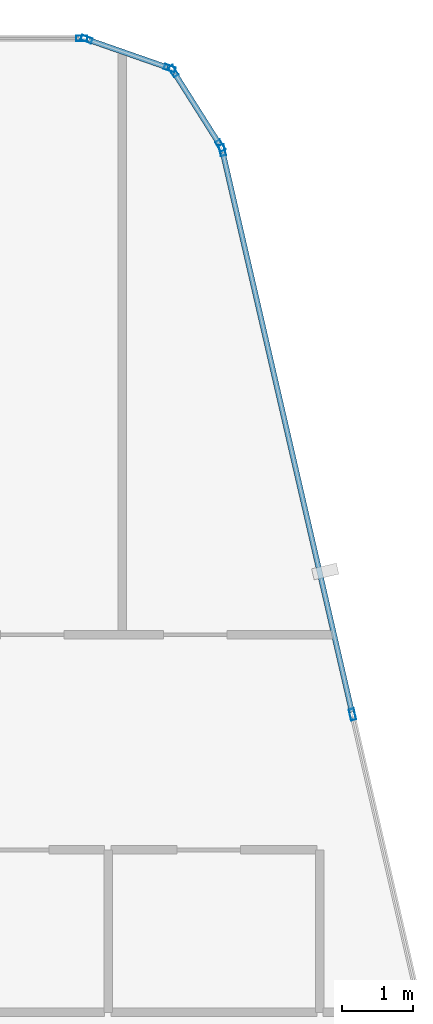
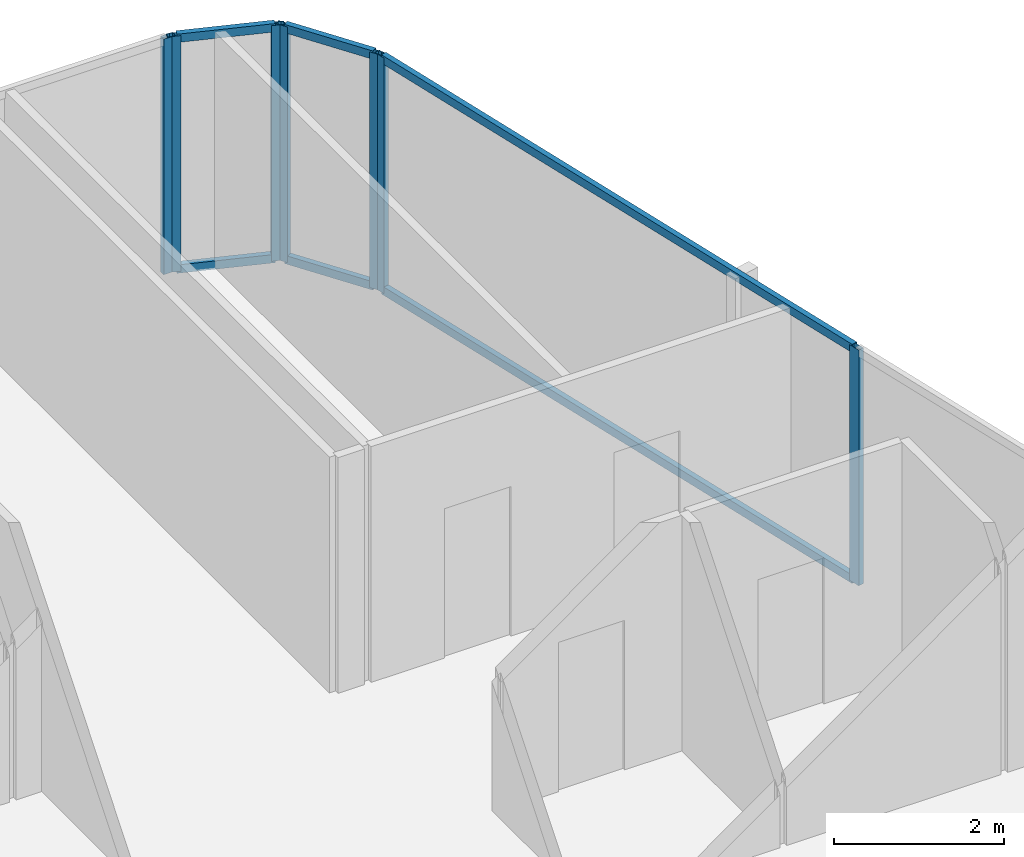
# One storey, part 19 of 27: 13 members, 4 elements without a shape of their own.
"""IFC4 building model written with IfcOpenShell, lengths in metres."""

import ifcopenshell
import ifcopenshell.guid

model = None  # the IFC model being written
_history = None  # IfcOwnerHistory: only IFC2X3 demands one
_inside = {}  # id of a spatial element -> (the spatial element, [elements in it])
_under = {}  # id of a project, library or spatial element -> (it, [spatial elements below it])
_declared = {}  # id of a project -> (the project, [libraries it declares])
_typed = {}  # id of a type object -> (the type object, [elements of that type])
_made_of = {}  # id of a material, layer set ... -> (it, [elements and type objects made of it])


def new_model(schema):
    """Start an empty IFC model of exactly this schema.

    Asked for "IFC4X3", IfcOpenShell would pick the latest addendum, in which some entities
    have other attributes; the version numbers below select the first issue.
    IFC2X3 requires an IfcOwnerHistory on every rooted entity: one is made here for all.
    """
    global model, _history
    if schema == "IFC4X3":
        model = ifcopenshell.file(schema_version=(4, 3, 0, 0))
    else:
        model = ifcopenshell.file(schema=schema)
    _inside.clear()
    _under.clear()
    _declared.clear()
    _typed.clear()
    _made_of.clear()
    _history = None
    if model.schema == "IFC2X3":
        org = make("IfcOrganization", Name="unknown")
        user = make(
            "IfcPersonAndOrganization",
            ThePerson=make("IfcPerson", FamilyName="unknown"),
            TheOrganization=org,
        )
        app = make(
            "IfcApplication",
            ApplicationDeveloper=org,
            Version="unknown",
            ApplicationFullName="unknown",
            ApplicationIdentifier="unknown",
        )
        _history = make(
            "IfcOwnerHistory",
            OwningUser=user,
            OwningApplication=app,
            ChangeAction="ADDED",
            CreationDate=0,
        )
    return model


def make(cls, **values):
    """One entity of the class cls with the attributes given. An attribute that is None is left unset."""
    return model.create_entity(
        cls, **{name: value for name, value in values.items() if value is not None}
    )


def rooted(cls, **values):
    """An entity with a GlobalId (a new one), such as an element, a storey or a relation."""
    return make(cls, GlobalId=ifcopenshell.guid.new(), OwnerHistory=_history, **values)


def si_unit(unit_type, name, prefix=None):
    """IfcSIUnit, for example si_unit("LENGTHUNIT", "METRE", prefix="MILLI")."""
    return make("IfcSIUnit", UnitType=unit_type, Prefix=prefix, Name=name)


def assignment(units):
    """IfcUnitAssignment: the units of a project."""
    return None if units is None else make("IfcUnitAssignment", Units=units)


def point(xyz):
    """IfcCartesianPoint."""
    return None if xyz is None else make("IfcCartesianPoint", Coordinates=xyz)


def direction(xyz):
    """IfcDirection."""
    return None if xyz is None else make("IfcDirection", DirectionRatios=xyz)


def frame(location, z_axis=None, x_axis=None):
    """IfcAxis2Placement3D, a coordinate frame: its origin and axes. An axis left out is left unset."""
    return make(
        "IfcAxis2Placement3D",
        Location=point(location),
        Axis=direction(z_axis),
        RefDirection=direction(x_axis),
    )


def frame_2d(location, x_axis=None):
    """IfcAxis2Placement2D, a coordinate frame in the plane: its origin and x axis."""
    return make(
        "IfcAxis2Placement2D", Location=point(location), RefDirection=direction(x_axis)
    )


def origin():
    """The frame at (0, 0, 0) with its axes left unset."""
    return frame((0.0, 0.0, 0.0))


def origin_2d():
    """The frame at (0, 0) in the plane with its x axis left unset."""
    return frame_2d((0.0, 0.0))


def place(relative_to, where):
    """IfcLocalPlacement: puts the frame where relative to a parent placement (None: the world)."""
    return make(
        "IfcLocalPlacement", PlacementRelTo=relative_to, RelativePlacement=where
    )


def context(
    kind, dimensions, precision=None, world=None, true_north=None, identifier=None
):
    """IfcGeometricRepresentationContext, for example the 3D "Model" context."""
    return make(
        "IfcGeometricRepresentationContext",
        ContextIdentifier=identifier,
        ContextType=kind,
        CoordinateSpaceDimension=dimensions,
        Precision=precision,
        WorldCoordinateSystem=world,
        TrueNorth=true_north,
    )


def subcontext(parent, identifier, kind, view, scale=None):
    """IfcGeometricRepresentationSubContext, for example "Body" below "Model"."""
    return make(
        "IfcGeometricRepresentationSubContext",
        ContextIdentifier=identifier,
        ContextType=kind,
        ParentContext=parent,
        TargetScale=scale,
        TargetView=view,
    )


def project(units=None, contexts=None):
    """IfcProject with its units and contexts."""
    return rooted(
        "IfcProject",
        Name="project",
        RepresentationContexts=contexts,
        UnitsInContext=assignment(units),
    )


def spatial(cls, under=None, at=None, **own):
    """A site, building, storey or space (cls), placed at a placement, below another one or the project."""
    s = rooted(cls, ObjectPlacement=at, **own)
    if under is not None:
        _under.setdefault(under.id(), (under, []))[1].append(s)
    return s


def profile(cls, at=None, kind="AREA", **sizes):
    """A parametric profile (cls). Its sizes go by their IFC names, for example OverallWidth=200.0."""
    return make(cls, ProfileType=kind, Position=at, **sizes)


def hollow_rectangle(**sizes):
    """IfcRectangleHollowProfileDef."""
    return profile("IfcRectangleHollowProfileDef", **sizes)


def extrude(swept, where, along, depth):
    """IfcExtrudedAreaSolid: the profile swept, set in the frame where, extruded along a direction by depth."""
    return make(
        "IfcExtrudedAreaSolid",
        SweptArea=swept,
        Position=where,
        ExtrudedDirection=direction(along),
        Depth=depth,
    )


def shape(context_of_items, identifier, shape_type, items):
    """IfcShapeRepresentation: the items that make up one representation, for example the "Body"."""
    return make(
        "IfcShapeRepresentation",
        ContextOfItems=context_of_items,
        RepresentationIdentifier=identifier,
        RepresentationType=shape_type,
        Items=items,
    )


def material(Name=None, Category=None):
    """IfcMaterial."""
    return make("IfcMaterial", Name=Name, Category=Category)


def layer(
    of_material, thickness, ventilated=None, Name=None, Category=None, Priority=None
):
    """IfcMaterialLayer: one layer of a wall or slab, of a material (None: an air gap)."""
    return make(
        "IfcMaterialLayer",
        Material=of_material,
        LayerThickness=thickness,
        IsVentilated=ventilated,
        Name=Name,
        Category=Category,
        Priority=Priority,
    )


def layer_set(layers, Name=None):
    """IfcMaterialLayerSet."""
    return make("IfcMaterialLayerSet", MaterialLayers=layers, LayerSetName=Name)


def material_profile(
    of_material, cross_section, Name=None, Category=None, Priority=None
):
    """IfcMaterialProfile: a cross section and its material."""
    return make(
        "IfcMaterialProfile",
        Name=Name,
        Material=of_material,
        Profile=cross_section,
        Priority=Priority,
        Category=Category,
    )


def profile_set(profiles, Name=None, composite=None):
    """IfcMaterialProfileSet."""
    return make(
        "IfcMaterialProfileSet",
        Name=Name,
        MaterialProfiles=profiles,
        CompositeProfile=composite,
    )


def made_of(thing, what):
    """Note that an element or type object is made of a material, layer set ...; save() writes the relation."""
    if what is not None:
        _made_of.setdefault(what.id(), (what, []))[1].append(thing)
    return thing


def type_object(cls, material=None, **own):
    """A type object (cls), such as IfcWallType, which elements share."""
    return made_of(rooted(cls, **own), material)


def element(
    cls,
    number,
    at=None,
    inside=None,
    cuts=None,
    type_object=None,
    material=None,
    context=None,
    identifier="Body",
    shape_type=None,
    held_by="IfcProductDefinitionShape",
    body=None,
    shapes=None,
    **own,
):
    """One element of the class cls, such as IfcWall. Its Tag is "e" and its number.

    at: its placement. inside: the storey or other place that contains it. cuts: it is an
    opening in that element (IfcRelVoidsElement). A single representation is given by context,
    identifier, shape_type and body (its items); several are given by shapes. held_by: the class
    of the entity that holds the representations. save() writes the other relations.
    """
    e = rooted(cls, Tag="e%d" % number, ObjectPlacement=at, **own)
    if body is not None:
        shapes = [shape(context, identifier, shape_type, body)]
    if shapes is not None:
        e.Representation = make(held_by, Representations=shapes)
    if inside is not None:
        _inside.setdefault(inside.id(), (inside, []))[1].append(e)
    if cuts is not None:
        rooted(
            "IfcRelVoidsElement", RelatingBuildingElement=cuts, RelatedOpeningElement=e
        )
    if type_object is not None:
        _typed.setdefault(type_object.id(), (type_object, []))[1].append(e)
    return made_of(e, material)


def aggregate(whole, parts):
    """IfcRelAggregates: a whole, such as a stair, and the parts it consists of."""
    return rooted("IfcRelAggregates", RelatingObject=whole, RelatedObjects=parts)


def save(model, path):
    """Write the relations noted so far, then the file.

    IfcRelAggregates (storeys below a building ...), IfcRelContainedInSpatialStructure (elements
    in a storey), IfcRelDefinesByType, IfcRelAssociatesMaterial and IfcRelDeclares: one each for
    every whole, place, type object, material and project.
    """
    for whole, parts in _under.values():
        aggregate(whole, parts)
    for where, things in _inside.values():
        rooted(
            "IfcRelContainedInSpatialStructure",
            RelatedElements=things,
            RelatingStructure=where,
        )
    for kind, things in _typed.values():
        rooted("IfcRelDefinesByType", RelatedObjects=things, RelatingType=kind)
    for what, things in _made_of.values():
        rooted("IfcRelAssociatesMaterial", RelatedObjects=things, RelatingMaterial=what)
    for by, libraries in _declared.values():
        rooted("IfcRelDeclares", RelatingContext=by, RelatedDefinitions=libraries)
    model.write(path)


model = new_model("IFC4")

# Units and contexts
model_context = context("Model", 3, precision=1e-05, world=origin(), true_north=direction((0.0, 1.0)))
body_context = subcontext(model_context, "Body", "Model", "MODEL_VIEW")
ifc_project = project(units=[si_unit("LENGTHUNIT", "METRE"), si_unit("AREAUNIT", "SQUARE_METRE"), si_unit("VOLUMEUNIT", "CUBIC_METRE"), si_unit("PLANEANGLEUNIT", "RADIAN"), si_unit("MASSUNIT", "GRAM", prefix="KILO")], contexts=[model_context])

# Site, building, storey
site_placement = place(None, origin())
site = spatial("IfcSite", under=ifc_project, at=site_placement, CompositionType="ELEMENT")
building_placement = place(site_placement, origin())
building = spatial("IfcBuilding", under=site, at=building_placement, Name="Keshet Zoharim Tower", CompositionType="ELEMENT")
storey_placement = place(building_placement, frame((0.0, 0.0, 288.0)))
storey = spatial("IfcBuildingStorey", under=building, at=storey_placement, Name="L72", CompositionType="ELEMENT", Elevation=288.0)

# Curtain wall, member
ifc_material = material(Name="Aluminium 6063-T6", Category="aluminium")
ifc_layer = layer(ifc_material, 0.260009765625)
ifc_layer_set = layer_set([ifc_layer], Name="Aluminium 6063-T6")
curtain_wall_type = type_object("IfcCurtainWallType", Name="CW-SYS-06", PredefinedType="NOTDEFINED", material=ifc_layer_set)
curtain_wall_1_placement = place(storey_placement, origin())
curtain_wall_1 = element("IfcCurtainWall", 1, at=curtain_wall_1_placement, inside=storey, type_object=curtain_wall_type, Name="L72 Unitised Curtain Wall 06 Part 5", PredefinedType="NOTDEFINED")
ifc_material_profile_1 = material_profile(ifc_material, hollow_rectangle(XDim=0.074951171875, YDim=0.159912109375, WallThickness=0.00390625, at=origin_2d()), Name="MUL-75x160")
ifc_profile_set_1 = profile_set([ifc_material_profile_1], Name="Aluminium 6063-T6")
member_type_1 = type_object("IfcMemberType", Name="CWM-M15", PredefinedType="MULLION", material=ifc_profile_set_1)
member_1_placement = place(storey_placement, frame((37.3740234375, 53.89990234375, 0.0), z_axis=(0.0, 0.0, 1.0), x_axis=(0.0, 1.0, 0.0)))
member_1 = element("IfcMember", 2, at=member_1_placement, type_object=member_type_1, Name="CW-06 mullion 2", PredefinedType="MULLION", context=body_context, shape_type="SweptSolid", body=[
    extrude(hollow_rectangle(XDim=0.074951171875, YDim=0.159912109375, WallThickness=0.00390625, at=origin_2d()), origin(), (0.0, 0.0, 1.0), 3.389892578125),
])
aggregate(curtain_wall_1, [member_1])

# Curtain wall, members
curtain_wall_2_placement = place(storey_placement, origin())
curtain_wall_2 = element("IfcCurtainWall", 3, at=curtain_wall_2_placement, inside=storey, type_object=curtain_wall_type, Name="L72 Unitised Curtain Wall 07", PredefinedType="NOTDEFINED")
member_2_placement = place(storey_placement, frame((37.442138671875, 53.888427734375, 0.0), z_axis=(0.0, 0.0, 1.0), x_axis=(0.329843743636, 0.944035542119, 0.0)))
member_2 = element("IfcMember", 4, at=member_2_placement, type_object=member_type_1, Name="CW-06 mullion 1", PredefinedType="MULLION", context=body_context, shape_type="SweptSolid", body=[
    extrude(hollow_rectangle(XDim=0.074951171875, YDim=0.159912109375, WallThickness=0.00390625, at=origin_2d()), origin(), (0.0, 0.0, 1.0), 3.389892578125),
])
member_3_placement = place(storey_placement, frame((38.620849609375, 53.4765625, 0.0), z_axis=(0.0, 0.0, 1.0), x_axis=(0.329843743636, 0.944035542119, 0.0)))
member_3 = element("IfcMember", 5, at=member_3_placement, type_object=member_type_1, Name="CW-06 mullion 2", PredefinedType="MULLION", context=body_context, shape_type="SweptSolid", body=[
    extrude(hollow_rectangle(XDim=0.074951171875, YDim=0.159912109375, WallThickness=0.00390625, at=origin_2d()), origin(), (0.0, 0.0, 1.0), 3.389892578125),
])

curtain_wall_3_placement = place(storey_placement, origin())
curtain_wall_3 = element("IfcCurtainWall", 6, at=curtain_wall_3_placement, inside=storey, type_object=curtain_wall_type, Name="L72 Unitised Curtain Wall 08", PredefinedType="NOTDEFINED")
member_4_placement = place(storey_placement, frame((38.672607421875, 53.435302734375, 0.0), z_axis=(0.0, 0.0, 1.0), x_axis=(0.845560976183, 0.533878858502, 0.0)))
member_4 = element("IfcMember", 7, at=member_4_placement, type_object=member_type_1, Name="CW-06 mullion 1", PredefinedType="MULLION", context=body_context, shape_type="SweptSolid", body=[
    extrude(hollow_rectangle(XDim=0.074951171875, YDim=0.159912109375, WallThickness=0.00390625, at=origin_2d()), origin(), (0.0, 0.0, 1.0), 3.389892578125),
])
member_5_placement = place(storey_placement, frame((39.33935546875, 52.379638671875, 0.0), z_axis=(0.0, 0.0, 1.0), x_axis=(0.845560976183, 0.533878858502, 0.0)))
member_5 = element("IfcMember", 8, at=member_5_placement, type_object=member_type_1, Name="CW-06 mullion 2", PredefinedType="MULLION", context=body_context, shape_type="SweptSolid", body=[
    extrude(hollow_rectangle(XDim=0.074951171875, YDim=0.159912109375, WallThickness=0.00390625, at=origin_2d()), origin(), (0.0, 0.0, 1.0), 3.389892578125),
])

curtain_wall_4_placement = place(storey_placement, origin())
curtain_wall_4 = element("IfcCurtainWall", 9, at=curtain_wall_4_placement, inside=storey, type_object=curtain_wall_type, Name="L72 Unitised Curtain Wall 09", PredefinedType="NOTDEFINED")
member_6_placement = place(storey_placement, frame((39.365966796875, 52.31591796875, 0.0), z_axis=(0.0, 0.0, 1.0), x_axis=(0.974398012932, 0.224829963294, 0.0)))
member_6 = element("IfcMember", 10, at=member_6_placement, type_object=member_type_1, Name="CW-06 mullion 1", PredefinedType="MULLION", context=body_context, shape_type="SweptSolid", body=[
    extrude(hollow_rectangle(XDim=0.074951171875, YDim=0.159912109375, WallThickness=0.00390625, at=origin_2d()), origin(), (0.0, 0.0, 1.0), 3.389892578125),
])
member_7_placement = place(storey_placement, frame((41.210693359375, 44.320556640625, 0.0), z_axis=(0.0, 0.0, 1.0), x_axis=(0.974398012932, 0.224829963294, 0.0)))
member_7 = element("IfcMember", 11, at=member_7_placement, type_object=member_type_1, Name="CW-06 mullion 2", PredefinedType="MULLION", context=body_context, shape_type="SweptSolid", body=[
    extrude(hollow_rectangle(XDim=0.074951171875, YDim=0.159912109375, WallThickness=0.00390625, at=origin_2d()), origin(), (0.0, 0.0, 1.0), 3.389892578125),
])

# Member
ifc_material_profile_2 = material_profile(ifc_material, hollow_rectangle(XDim=0.074951171875, YDim=0.1201171875, WallThickness=0.00390625, at=origin_2d()), Name="TRN-75x120")
ifc_profile_set_2 = profile_set([ifc_material_profile_2], Name="Aluminium 6063-T6")
member_type_2 = type_object("IfcMemberType", Name="CWT-T12", PredefinedType="USERDEFINED", material=ifc_profile_set_2)
member_8_placement = place(storey_placement, frame((37.47509765625, 53.876953125, 0.034912109375), z_axis=(0.944006789648, -0.329926023675, 0.0), x_axis=(0.329926023675, 0.944006789648, 0.0)))
member_8 = element("IfcMember", 12, at=member_8_placement, type_object=member_type_2, Name="CW-06 transom 1.1", ObjectType="TRANSOM", PredefinedType="USERDEFINED", context=body_context, shape_type="SweptSolid", body=[
    extrude(hollow_rectangle(XDim=0.074951171875, YDim=0.1201171875, WallThickness=0.00390625, at=origin_2d()), origin(), (0.0, 0.0, 1.0), 1.1787109375),
])

member_9_placement = place(storey_placement, frame((37.47509765625, 53.876953125, 3.35498046875), z_axis=(0.944006789648, -0.329926023675, 0.0), x_axis=(0.329926023675, 0.944006789648, 0.0)))
member_9 = element("IfcMember", 13, at=member_9_placement, type_object=member_type_2, Name="CW-06 transom 1.2", ObjectType="TRANSOM", PredefinedType="USERDEFINED", context=body_context, shape_type="SweptSolid", body=[
    extrude(hollow_rectangle(XDim=0.074951171875, YDim=0.1201171875, WallThickness=0.00390625, at=origin_2d()), origin(), (0.0, 0.0, 1.0), 1.1787109375),
])

aggregate(curtain_wall_2, [member_2, member_3, member_8, member_9])

member_10_placement = place(storey_placement, frame((38.69140625, 53.40576171875, 0.034912109375), z_axis=(0.53382931122, -0.845592257819, 0.0), x_axis=(0.845592257819, 0.53382931122, 0.0)))
member_10 = element("IfcMember", 14, at=member_10_placement, type_object=member_type_2, Name="CW-06 transom 1.1", ObjectType="TRANSOM", PredefinedType="USERDEFINED", context=body_context, shape_type="SweptSolid", body=[
    extrude(hollow_rectangle(XDim=0.074951171875, YDim=0.1201171875, WallThickness=0.00390625, at=origin_2d()), origin(), (0.0, 0.0, 1.0), 1.178466796875),
])

member_11_placement = place(storey_placement, frame((38.69140625, 53.40576171875, 3.35498046875), z_axis=(0.53382931122, -0.845592257819, 0.0), x_axis=(0.845592257819, 0.53382931122, 0.0)))
member_11 = element("IfcMember", 15, at=member_11_placement, type_object=member_type_2, Name="CW-06 transom 1.2", ObjectType="TRANSOM", PredefinedType="USERDEFINED", context=body_context, shape_type="SweptSolid", body=[
    extrude(hollow_rectangle(XDim=0.074951171875, YDim=0.1201171875, WallThickness=0.00390625, at=origin_2d()), origin(), (0.0, 0.0, 1.0), 1.178466796875),
])

aggregate(curtain_wall_3, [member_4, member_5, member_10, member_11])

member_12_placement = place(storey_placement, frame((39.373779296875, 52.28173828125, 0.034912109375), z_axis=(0.224835397421, -0.97439675906, 0.0), x_axis=(0.97439675906, 0.224835397421, 0.0)))
member_12 = element("IfcMember", 16, at=member_12_placement, type_object=member_type_2, Name="CW-06 transom 1.1", ObjectType="TRANSOM", PredefinedType="USERDEFINED", context=body_context, shape_type="SweptSolid", body=[
    extrude(hollow_rectangle(XDim=0.074951171875, YDim=0.1201171875, WallThickness=0.00390625, at=origin_2d()), origin(), (0.0, 0.0, 1.0), 8.13525390625),
])

member_13_placement = place(storey_placement, frame((39.373779296875, 52.28173828125, 3.35498046875), z_axis=(0.224835397421, -0.97439675906, 0.0), x_axis=(0.97439675906, 0.224835397421, 0.0)))
member_13 = element("IfcMember", 17, at=member_13_placement, type_object=member_type_2, Name="CW-06 transom 1.2", ObjectType="TRANSOM", PredefinedType="USERDEFINED", context=body_context, shape_type="SweptSolid", body=[
    extrude(hollow_rectangle(XDim=0.074951171875, YDim=0.1201171875, WallThickness=0.00390625, at=origin_2d()), origin(), (0.0, 0.0, 1.0), 8.13525390625),
])

aggregate(curtain_wall_4, [member_6, member_7, member_12, member_13])

save(model, "model.ifc")
